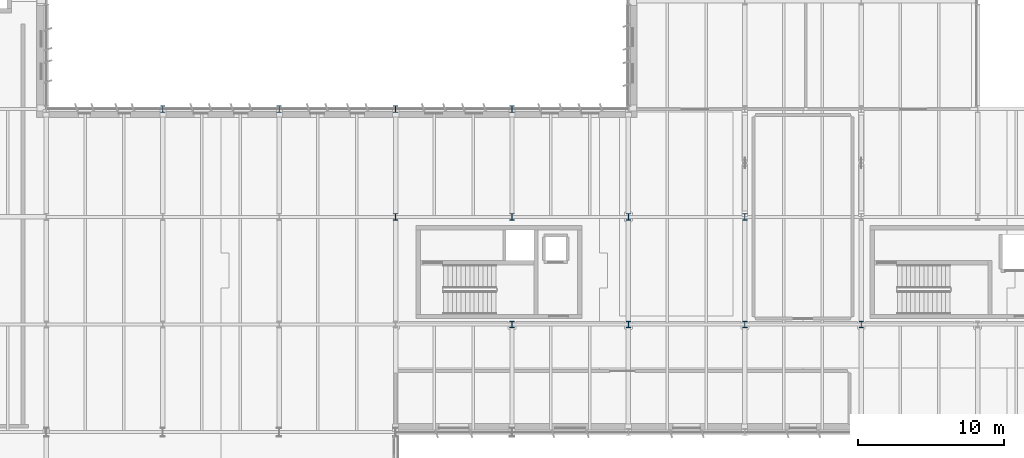
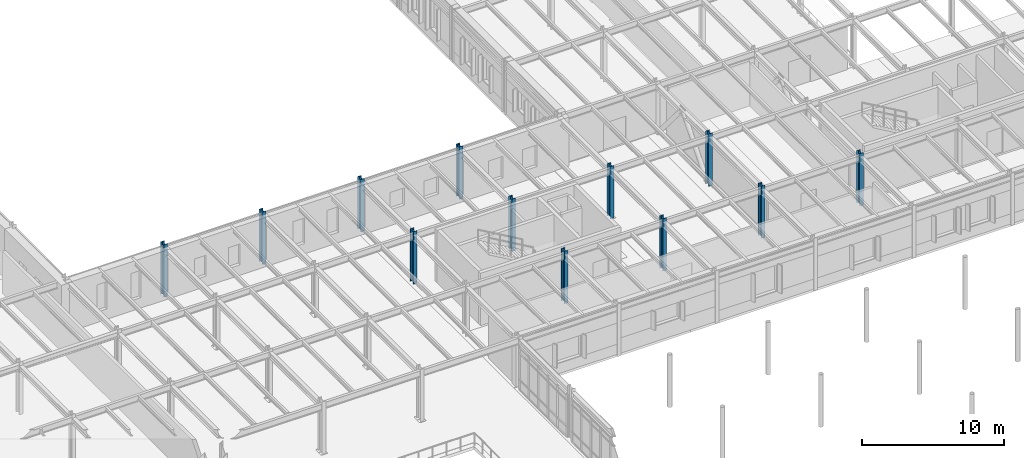
# One storey, part 11 of 75: 12 columns.
"""IFC4 building model written with IfcOpenShell, lengths in metres."""

from ifc_helpers import new_model, si_unit, direction, frame, origin, origin_2d, place, context, subcontext, project, spatial, i_section, extrude, material, material_profile, profile_set, type_object, element, save


model = new_model("IFC4")

# Units and contexts
model_context = context("Model", 3, precision=1e-05, world=origin(), true_north=direction((0.0, 1.0)))
body_context = subcontext(model_context, "Body", "Model", "MODEL_VIEW")
ifc_project = project(units=[si_unit("LENGTHUNIT", "METRE"), si_unit("AREAUNIT", "SQUARE_METRE"), si_unit("VOLUMEUNIT", "CUBIC_METRE"), si_unit("PLANEANGLEUNIT", "RADIAN"), si_unit("MASSUNIT", "GRAM", prefix="KILO")], contexts=[model_context])

# Site, building, storey
site_placement = place(None, origin())
site = spatial("IfcSite", under=ifc_project, at=site_placement, CompositionType="ELEMENT")
building_placement = place(site_placement, origin())
building = spatial("IfcBuilding", under=site, at=building_placement, Name="Valkorina Park Police Headquarters", CompositionType="ELEMENT")
storey_placement = place(building_placement, frame((0.0, 0.0, 5.39990234375)))
storey = spatial("IfcBuildingStorey", under=building, at=storey_placement, Name="L02", CompositionType="ELEMENT", Elevation=5.39990234375)

# Columns
ifc_material = material(Name="Steel S355", Category="steel")
ifc_material_profile_1 = material_profile(ifc_material, i_section(OverallWidth=0.300048828125, OverallDepth=0.449951171875, WebThickness=0.013916015625, FlangeThickness=0.02587890625, FilletRadius=0.027099609375, at=origin_2d()), Name="HEB 450")
ifc_profile_set_1 = profile_set([ifc_material_profile_1], Name="Steel S355")
column_type_1 = type_object("IfcColumnType", Name="COL-S355-HEB450-EXT", PredefinedType="COLUMN", material=ifc_profile_set_1)
for number, where, z_axis, x_axis, name in (
    (1, (64.800048828125, 81.39990234375, 0.0), (0.0, 0.0, 1.0), (1.0, 0.0, 0.0), "L02 Column 0603"),
    (2, (72.800048828125, 81.39990234375, 0.0), (0.0, 0.0, 1.0), (1.0, 0.0, 0.0), "L02 Column 0610"),
    (3, (80.800048828125, 81.39990234375, 0.0), (0.0, 0.0, 1.0), (1.0, 0.0, 0.0), "L02 Column 0619"),
    (4, (88.800048828125, 81.39990234375, 0.0), (0.0, 0.0, 1.0), (1.0, 0.0, 0.0), "L02 Column 0626"),
):
    element("IfcColumn", number, at=place(storey_placement, frame(where, z_axis=z_axis, x_axis=x_axis)), inside=storey, type_object=column_type_1, Name=name, PredefinedType="COLUMN", context=body_context, shape_type="SweptSolid", body=[
        extrude(i_section(OverallWidth=0.300048828125, OverallDepth=0.449951171875, WebThickness=0.013916015625, FlangeThickness=0.02587890625, FilletRadius=0.027099609375, at=origin_2d()), origin(), (0.0, 0.0, 1.0), 4.5),
    ])
ifc_material_profile_2 = material_profile(ifc_material, i_section(OverallWidth=0.300048828125, OverallDepth=0.449951171875, WebThickness=0.013916015625, FlangeThickness=0.02587890625, FilletRadius=0.027099609375, at=origin_2d()), Name="HEB 450")
ifc_profile_set_2 = profile_set([ifc_material_profile_2], Name="Steel S355")
column_type_2 = type_object("IfcColumnType", Name="COL-S355-HEB450-INT", PredefinedType="COLUMN", material=ifc_profile_set_2)
for number, where, z_axis, x_axis, name in (
    (5, (80.800048828125, 74.0, 0.0), (0.0, 0.0, 1.0), (1.0, 0.0, 0.0), "L02 Column 0618"),
    (6, (88.800048828125, 66.60009765625, 0.0), (0.0, 0.0, 1.0), (1.0, 0.0, 0.0), "L02 Column 0624"),
    (7, (88.800048828125, 74.0, 0.0), (0.0, 0.0, 1.0), (1.0, 0.0, 0.0), "L02 Column 0625"),
    (8, (96.800048828125, 66.60009765625, 0.0), (0.0, 0.0, 1.0), (1.0, 0.0, 0.0), "L02 Column 0631"),
    (9, (96.800048828125, 74.0, 0.0), (0.0, 0.0, 1.0), (1.0, 0.0, 0.0), "L02 Column 0632"),
    (10, (104.800048828125, 66.60009765625, 0.0), (0.0, 0.0, 1.0), (1.0, 0.0, 0.0), "L02 Column 0642"),
    (11, (104.800048828125, 74.0, 0.0), (0.0, 0.0, 1.0), (1.0, 0.0, 0.0), "L02 Column 0643"),
    (12, (112.800048828125, 66.60009765625, 0.0), (0.0, 0.0, 1.0), (1.0, 0.0, 0.0), "L02 Column 0653"),
):
    element("IfcColumn", number, at=place(storey_placement, frame(where, z_axis=z_axis, x_axis=x_axis)), inside=storey, type_object=column_type_2, Name=name, PredefinedType="COLUMN", context=body_context, shape_type="SweptSolid", body=[
        extrude(i_section(OverallWidth=0.300048828125, OverallDepth=0.449951171875, WebThickness=0.013916015625, FlangeThickness=0.02587890625, FilletRadius=0.027099609375, at=origin_2d()), origin(), (0.0, 0.0, 1.0), 4.5),
    ])

save(model, "model.ifc")
